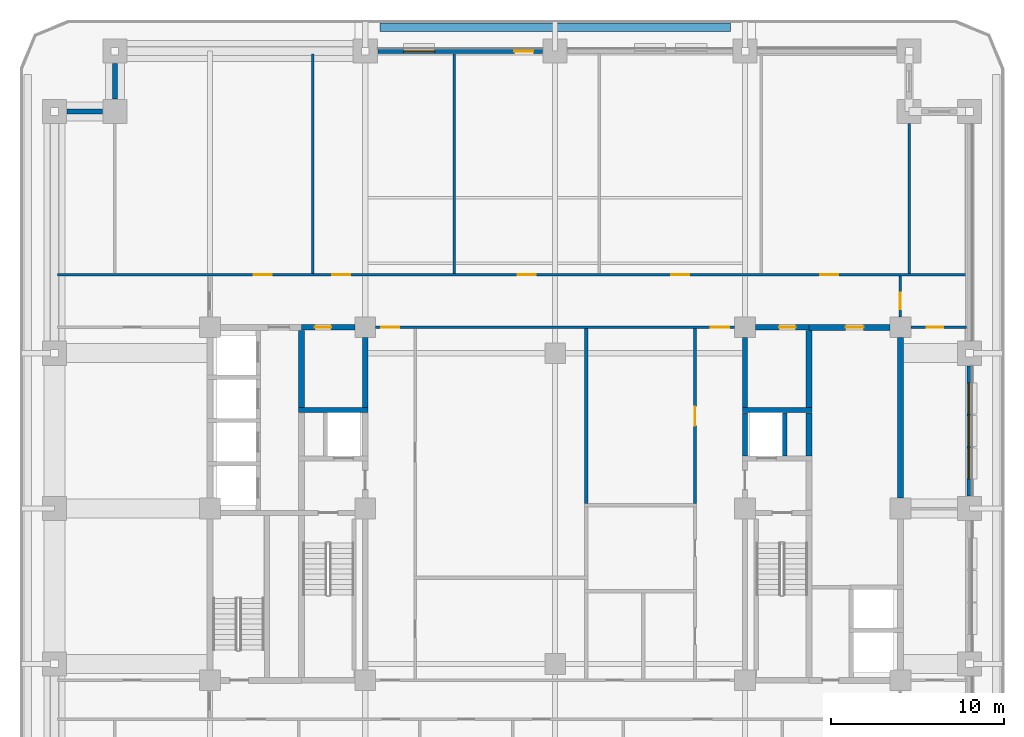
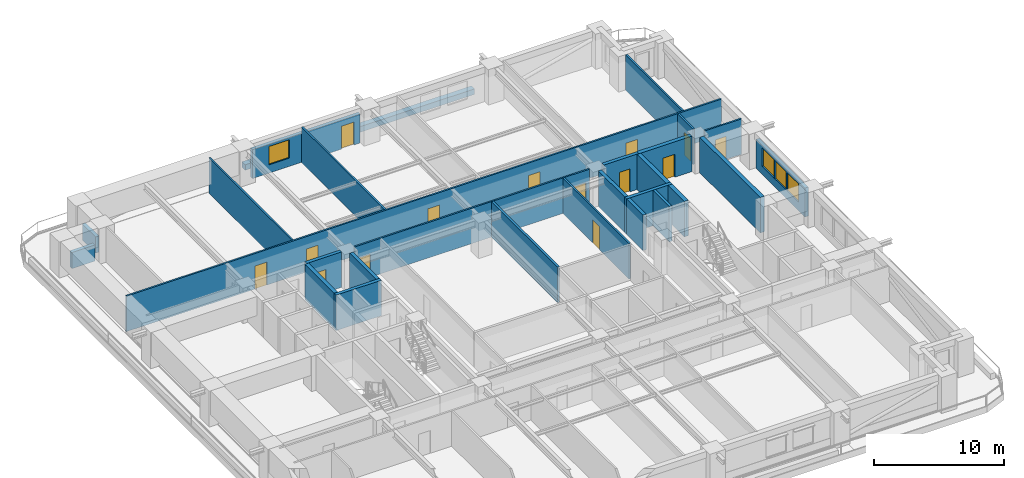
# One storey, part 5 of 14: 27 walls, 14 doors, 4 windows, 18 openings.
"""IFC4 building model written with IfcOpenShell, lengths in metres."""

import ifcopenshell
import ifcopenshell.guid

model = None  # the IFC model being written
_history = None  # IfcOwnerHistory: only IFC2X3 demands one
_inside = {}  # id of a spatial element -> (the spatial element, [elements in it])
_under = {}  # id of a project, library or spatial element -> (it, [spatial elements below it])
_declared = {}  # id of a project -> (the project, [libraries it declares])
_typed = {}  # id of a type object -> (the type object, [elements of that type])
_made_of = {}  # id of a material, layer set ... -> (it, [elements and type objects made of it])


def new_model(schema):
    """Start an empty IFC model of exactly this schema.

    Asked for "IFC4X3", IfcOpenShell would pick the latest addendum, in which some entities
    have other attributes; the version numbers below select the first issue.
    IFC2X3 requires an IfcOwnerHistory on every rooted entity: one is made here for all.
    """
    global model, _history
    if schema == "IFC4X3":
        model = ifcopenshell.file(schema_version=(4, 3, 0, 0))
    else:
        model = ifcopenshell.file(schema=schema)
    _inside.clear()
    _under.clear()
    _declared.clear()
    _typed.clear()
    _made_of.clear()
    _history = None
    if model.schema == "IFC2X3":
        org = make("IfcOrganization", Name="unknown")
        user = make(
            "IfcPersonAndOrganization",
            ThePerson=make("IfcPerson", FamilyName="unknown"),
            TheOrganization=org,
        )
        app = make(
            "IfcApplication",
            ApplicationDeveloper=org,
            Version="unknown",
            ApplicationFullName="unknown",
            ApplicationIdentifier="unknown",
        )
        _history = make(
            "IfcOwnerHistory",
            OwningUser=user,
            OwningApplication=app,
            ChangeAction="ADDED",
            CreationDate=0,
        )
    return model


def make(cls, **values):
    """One entity of the class cls with the attributes given. An attribute that is None is left unset."""
    return model.create_entity(
        cls, **{name: value for name, value in values.items() if value is not None}
    )


def rooted(cls, **values):
    """An entity with a GlobalId (a new one), such as an element, a storey or a relation."""
    return make(cls, GlobalId=ifcopenshell.guid.new(), OwnerHistory=_history, **values)


def si_unit(unit_type, name, prefix=None):
    """IfcSIUnit, for example si_unit("LENGTHUNIT", "METRE", prefix="MILLI")."""
    return make("IfcSIUnit", UnitType=unit_type, Prefix=prefix, Name=name)


def assignment(units):
    """IfcUnitAssignment: the units of a project."""
    return None if units is None else make("IfcUnitAssignment", Units=units)


def point(xyz):
    """IfcCartesianPoint."""
    return None if xyz is None else make("IfcCartesianPoint", Coordinates=xyz)


def direction(xyz):
    """IfcDirection."""
    return None if xyz is None else make("IfcDirection", DirectionRatios=xyz)


def frame(location, z_axis=None, x_axis=None):
    """IfcAxis2Placement3D, a coordinate frame: its origin and axes. An axis left out is left unset."""
    return make(
        "IfcAxis2Placement3D",
        Location=point(location),
        Axis=direction(z_axis),
        RefDirection=direction(x_axis),
    )


def frame_2d(location, x_axis=None):
    """IfcAxis2Placement2D, a coordinate frame in the plane: its origin and x axis."""
    return make(
        "IfcAxis2Placement2D", Location=point(location), RefDirection=direction(x_axis)
    )


def origin():
    """The frame at (0, 0, 0) with its axes left unset."""
    return frame((0.0, 0.0, 0.0))


def place(relative_to, where):
    """IfcLocalPlacement: puts the frame where relative to a parent placement (None: the world)."""
    return make(
        "IfcLocalPlacement", PlacementRelTo=relative_to, RelativePlacement=where
    )


def context(
    kind, dimensions, precision=None, world=None, true_north=None, identifier=None
):
    """IfcGeometricRepresentationContext, for example the 3D "Model" context."""
    return make(
        "IfcGeometricRepresentationContext",
        ContextIdentifier=identifier,
        ContextType=kind,
        CoordinateSpaceDimension=dimensions,
        Precision=precision,
        WorldCoordinateSystem=world,
        TrueNorth=true_north,
    )


def subcontext(parent, identifier, kind, view, scale=None):
    """IfcGeometricRepresentationSubContext, for example "Body" below "Model"."""
    return make(
        "IfcGeometricRepresentationSubContext",
        ContextIdentifier=identifier,
        ContextType=kind,
        ParentContext=parent,
        TargetScale=scale,
        TargetView=view,
    )


def project(units=None, contexts=None):
    """IfcProject with its units and contexts."""
    return rooted(
        "IfcProject",
        Name="project",
        RepresentationContexts=contexts,
        UnitsInContext=assignment(units),
    )


def spatial(cls, under=None, at=None, **own):
    """A site, building, storey or space (cls), placed at a placement, below another one or the project."""
    s = rooted(cls, ObjectPlacement=at, **own)
    if under is not None:
        _under.setdefault(under.id(), (under, []))[1].append(s)
    return s


def profile(cls, at=None, kind="AREA", **sizes):
    """A parametric profile (cls). Its sizes go by their IFC names, for example OverallWidth=200.0."""
    return make(cls, ProfileType=kind, Position=at, **sizes)


def rectangle(**sizes):
    """IfcRectangleProfileDef."""
    return profile("IfcRectangleProfileDef", **sizes)


def extrude(swept, where, along, depth):
    """IfcExtrudedAreaSolid: the profile swept, set in the frame where, extruded along a direction by depth."""
    return make(
        "IfcExtrudedAreaSolid",
        SweptArea=swept,
        Position=where,
        ExtrudedDirection=direction(along),
        Depth=depth,
    )


def shape(context_of_items, identifier, shape_type, items):
    """IfcShapeRepresentation: the items that make up one representation, for example the "Body"."""
    return make(
        "IfcShapeRepresentation",
        ContextOfItems=context_of_items,
        RepresentationIdentifier=identifier,
        RepresentationType=shape_type,
        Items=items,
    )


def material(Name=None, Category=None):
    """IfcMaterial."""
    return make("IfcMaterial", Name=Name, Category=Category)


def layer(
    of_material, thickness, ventilated=None, Name=None, Category=None, Priority=None
):
    """IfcMaterialLayer: one layer of a wall or slab, of a material (None: an air gap)."""
    return make(
        "IfcMaterialLayer",
        Material=of_material,
        LayerThickness=thickness,
        IsVentilated=ventilated,
        Name=Name,
        Category=Category,
        Priority=Priority,
    )


def layer_set(layers, Name=None):
    """IfcMaterialLayerSet."""
    return make("IfcMaterialLayerSet", MaterialLayers=layers, LayerSetName=Name)


def made_of(thing, what):
    """Note that an element or type object is made of a material, layer set ...; save() writes the relation."""
    if what is not None:
        _made_of.setdefault(what.id(), (what, []))[1].append(thing)
    return thing


def type_object(cls, material=None, **own):
    """A type object (cls), such as IfcWallType, which elements share."""
    return made_of(rooted(cls, **own), material)


def element(
    cls,
    number,
    at=None,
    inside=None,
    cuts=None,
    type_object=None,
    material=None,
    context=None,
    identifier="Body",
    shape_type=None,
    held_by="IfcProductDefinitionShape",
    body=None,
    shapes=None,
    **own,
):
    """One element of the class cls, such as IfcWall. Its Tag is "e" and its number.

    at: its placement. inside: the storey or other place that contains it. cuts: it is an
    opening in that element (IfcRelVoidsElement). A single representation is given by context,
    identifier, shape_type and body (its items); several are given by shapes. held_by: the class
    of the entity that holds the representations. save() writes the other relations.
    """
    e = rooted(cls, Tag="e%d" % number, ObjectPlacement=at, **own)
    if body is not None:
        shapes = [shape(context, identifier, shape_type, body)]
    if shapes is not None:
        e.Representation = make(held_by, Representations=shapes)
    if inside is not None:
        _inside.setdefault(inside.id(), (inside, []))[1].append(e)
    if cuts is not None:
        rooted(
            "IfcRelVoidsElement", RelatingBuildingElement=cuts, RelatedOpeningElement=e
        )
    if type_object is not None:
        _typed.setdefault(type_object.id(), (type_object, []))[1].append(e)
    return made_of(e, material)


def fill(opening, filler):
    """IfcRelFillsElement: the door or window that sits in an opening."""
    return rooted(
        "IfcRelFillsElement",
        RelatingOpeningElement=opening,
        RelatedBuildingElement=filler,
    )


def aggregate(whole, parts):
    """IfcRelAggregates: a whole, such as a stair, and the parts it consists of."""
    return rooted("IfcRelAggregates", RelatingObject=whole, RelatedObjects=parts)


def save(model, path):
    """Write the relations noted so far, then the file.

    IfcRelAggregates (storeys below a building ...), IfcRelContainedInSpatialStructure (elements
    in a storey), IfcRelDefinesByType, IfcRelAssociatesMaterial and IfcRelDeclares: one each for
    every whole, place, type object, material and project.
    """
    for whole, parts in _under.values():
        aggregate(whole, parts)
    for where, things in _inside.values():
        rooted(
            "IfcRelContainedInSpatialStructure",
            RelatedElements=things,
            RelatingStructure=where,
        )
    for kind, things in _typed.values():
        rooted("IfcRelDefinesByType", RelatedObjects=things, RelatingType=kind)
    for what, things in _made_of.values():
        rooted("IfcRelAssociatesMaterial", RelatedObjects=things, RelatingMaterial=what)
    for by, libraries in _declared.values():
        rooted("IfcRelDeclares", RelatingContext=by, RelatedDefinitions=libraries)
    model.write(path)


model = new_model("IFC4")

# Units and contexts
model_context = context("Model", 3, precision=1e-05, world=origin(), true_north=direction((0.0, 1.0)))
body_context = subcontext(model_context, "Body", "Model", "MODEL_VIEW")
ifc_project = project(units=[si_unit("LENGTHUNIT", "METRE"), si_unit("AREAUNIT", "SQUARE_METRE"), si_unit("VOLUMEUNIT", "CUBIC_METRE"), si_unit("PLANEANGLEUNIT", "RADIAN"), si_unit("MASSUNIT", "GRAM", prefix="KILO")], contexts=[model_context])

# Site, building, storey
site_placement = place(None, origin())
site = spatial("IfcSite", under=ifc_project, at=site_placement, CompositionType="ELEMENT")
building_placement = place(site_placement, origin())
building = spatial("IfcBuilding", under=site, at=building_placement, Name="Zulmaris Gate Convention Tower", CompositionType="ELEMENT")
storey_placement = place(building_placement, frame((0.0, 0.0, 60.760009765625)))
storey = spatial("IfcBuildingStorey", under=building, at=storey_placement, Name="L14", CompositionType="ELEMENT", Elevation=60.760009765625)

# Walls
ifc_material_1 = material(Name="Concrete C50/60", Category="concrete")
ifc_layer_1 = layer(ifc_material_1, 0.25, Name="Concrete C50/60")
ifc_layer_set_1 = layer_set([ifc_layer_1], Name="Concrete C50/60")
wall_type_1 = type_object("IfcWallType", Name="CORE-250", PredefinedType="SOLIDWALL", material=ifc_layer_set_1)
wall_1_placement = place(storey_placement, frame((13.300048828125, 3.052001953125, 0.0), z_axis=(0.0, 0.0, 1.0), x_axis=(0.0, 1.0, 0.0)))
element("IfcWall", 1, at=wall_1_placement, inside=storey, type_object=wall_type_1, Name="WL-L14-058", PredefinedType="SOLIDWALL", context=body_context, shape_type="SweptSolid", body=[
    extrude(rectangle(XDim=2.49609375, YDim=0.25, at=frame_2d((1.248046875, 0.0))), origin(), (0.0, 0.0, 1.0), 3.31982421875),
])
ifc_layer_2 = layer(ifc_material_1, 0.300048828125, Name="Concrete C50/60")
ifc_layer_set_2 = layer_set([ifc_layer_2], Name="Concrete C50/60")
wall_type_2 = type_object("IfcWallType", Name="CORE-300", PredefinedType="SHEAR", material=ifc_layer_set_2)
for number, where, z_axis, x_axis, name in (
    (2, (-14.875, 5.699951171875, 0.0), (0.0, 0.0, 1.0), (1.0, 0.0, 0.0), "WL-L14-013"),
    (3, (10.85009765625, 5.699951171875, 0.0), (0.0, 0.0, 1.0), (1.0, 0.0, 0.0), "WL-L14-014"),
):
    element("IfcWall", number, at=place(storey_placement, frame(where, z_axis=z_axis, x_axis=x_axis)), inside=storey, type_object=wall_type_2, Name=name, PredefinedType="SHEAR", context=body_context, shape_type="SweptSolid", body=[
        extrude(rectangle(XDim=4.02490234375, YDim=0.300048828125, at=frame_2d((2.012451171875, 0.0))), origin(), (0.0, 0.0, 1.0), 3.31982421875),
    ])

# Wall, opening, door
wall_2_placement = place(storey_placement, frame((-14.699951171875, 10.5, 0.0), z_axis=(0.0, 0.0, 1.0), x_axis=(1.0, 0.0, 0.0)))
wall_2 = element("IfcWall", 4, at=wall_2_placement, inside=storey, type_object=wall_type_2, Name="WL-L14-017", PredefinedType="SHEAR", context=body_context, shape_type="SweptSolid", body=[
    extrude(rectangle(XDim=3.095947265625, YDim=0.300048828125, at=frame_2d((1.5478515625, 0.0))), origin(), (0.0, 0.0, 1.0), 3.31982421875),
])
opening_1_placement = place(wall_2_placement, frame((0.77490234375, 0.0, 0.0)))
opening_1 = element("IfcOpeningElement", 5, at=opening_1_placement, cuts=wall_2, Name="Opening D-11", PredefinedType="OPENING", context=body_context, shape_type="SweptSolid", body=[
    extrude(rectangle(XDim=0.949951171875, YDim=2.14990234375, at=frame_2d((0.47509765625, 1.074951171875))), frame((0.0, 0.16015625, 0.0), z_axis=(0.0, -1.0, 0.0), x_axis=(1.0, 0.0, 0.0)), (0.0, 0.0, 1.0), 0.320068359375),
])
ifc_material_2 = material(Name="Fire-Rated Timber", Category="wood")
door_type_1 = type_object("IfcDoorType", Name="DR-950-FD", OperationType="NOTDEFINED", PredefinedType="DOOR", material=ifc_material_2)
door_1_placement = place(opening_1_placement, origin())
door_1 = element("IfcDoor", 6, at=door_1_placement, inside=storey, type_object=door_type_1, Name="L14 Core Pantry Door 07", OperationType="SINGLE_SWING_RIGHT", OverallHeight=2.14990234375, OverallWidth=0.949951171875, PredefinedType="DOOR", context=body_context, shape_type="SweptSolid", body=[
    extrude(rectangle(XDim=0.949951171875, YDim=2.14990234375, at=frame_2d((0.47509765625, 1.074951171875))), frame((0.0, 0.02490234375, 0.0), z_axis=(0.0, -1.0, 0.0), x_axis=(1.0, 0.0, 0.0)), (0.0, 0.0, 1.0), 0.050048828125),
])
fill(opening_1, door_1)

wall_3_placement = place(storey_placement, frame((11.60400390625, 10.5, 0.0), z_axis=(0.0, 0.0, 1.0), x_axis=(1.0, 0.0, 0.0)))
wall_3 = element("IfcWall", 7, at=wall_3_placement, inside=storey, type_object=wall_type_2, Name="WL-L14-018", PredefinedType="SHEAR", context=body_context, shape_type="SweptSolid", body=[
    extrude(rectangle(XDim=3.095947265625, YDim=0.300048828125, at=frame_2d((1.5478515625, 0.0))), origin(), (0.0, 0.0, 1.0), 3.31982421875),
])
opening_2_placement = place(wall_3_placement, frame((1.37109375, 0.0, 0.0)))
opening_2 = element("IfcOpeningElement", 8, at=opening_2_placement, cuts=wall_3, Name="Opening D-11", PredefinedType="OPENING", context=body_context, shape_type="SweptSolid", body=[
    extrude(rectangle(XDim=0.949951171875, YDim=2.14990234375, at=frame_2d((0.47509765625, 1.074951171875))), frame((0.0, 0.16015625, 0.0), z_axis=(0.0, -1.0, 0.0), x_axis=(1.0, 0.0, 0.0)), (0.0, 0.0, 1.0), 0.320068359375),
])
door_2_placement = place(opening_2_placement, origin())
door_2 = element("IfcDoor", 9, at=door_2_placement, inside=storey, type_object=door_type_1, Name="L14 Core Cleaners Store Door 08", OperationType="SINGLE_SWING_LEFT", OverallHeight=2.14990234375, OverallWidth=0.949951171875, PredefinedType="DOOR", context=body_context, shape_type="SweptSolid", body=[
    extrude(rectangle(XDim=0.949951171875, YDim=2.14990234375, at=frame_2d((0.47509765625, 1.074951171875))), frame((0.0, 0.02490234375, 0.0), z_axis=(0.0, -1.0, 0.0), x_axis=(1.0, 0.0, 0.0)), (0.0, 0.0, 1.0), 0.050048828125),
])
fill(opening_2, door_2)

# Walls
wall_4_placement = place(storey_placement, frame((-11.0, 5.85205078125, 0.0), z_axis=(0.0, 0.0, 1.0), x_axis=(0.0, 1.0, 0.0)))
element("IfcWall", 10, at=wall_4_placement, inside=storey, type_object=wall_type_2, Name="WL-L14-052", PredefinedType="SHEAR", context=body_context, shape_type="SweptSolid", body=[
    extrude(rectangle(XDim=4.0439453125, YDim=0.300048828125, at=frame_2d((2.02197265625, 0.0))), origin(), (0.0, 0.0, 1.0), 3.31982421875),
])
wall_5_placement = place(storey_placement, frame((11.0, 3.052001953125, 0.0), z_axis=(0.0, 0.0, 1.0), x_axis=(0.0, 1.0, 0.0)))
element("IfcWall", 11, at=wall_5_placement, inside=storey, type_object=wall_type_2, Name="WL-L14-055", PredefinedType="SHEAR", context=body_context, shape_type="SweptSolid", body=[
    extrude(rectangle(XDim=2.49609375, YDim=0.300048828125, at=frame_2d((1.248046875, 0.0))), origin(), (0.0, 0.0, 1.0), 3.31982421875),
])
wall_6_placement = place(storey_placement, frame((11.0, 5.85205078125, 0.0), z_axis=(0.0, 0.0, 1.0), x_axis=(0.0, 1.0, 0.0)))
element("IfcWall", 12, at=wall_6_placement, inside=storey, type_object=wall_type_2, Name="WL-L14-056", PredefinedType="SHEAR", context=body_context, shape_type="SweptSolid", body=[
    extrude(rectangle(XDim=4.0439453125, YDim=0.300048828125, at=frame_2d((2.02197265625, 0.0))), origin(), (0.0, 0.0, 1.0), 3.31982421875),
])

# Wall, opening, door
ifc_material_3 = material(Name="Concrete C55/67", Category="concrete")
ifc_layer_3 = layer(ifc_material_3, 0.35009765625, Name="Concrete C55/67")
ifc_layer_set_3 = layer_set([ifc_layer_3], Name="Concrete C55/67")
wall_type_3 = type_object("IfcWallType", Name="CORE-350", PredefinedType="SHEAR", material=ifc_layer_set_3)
wall_7_placement = place(storey_placement, frame((14.699951171875, 10.5, 0.0), z_axis=(0.0, 0.0, 1.0), x_axis=(1.0, 0.0, 0.0)))
wall_7 = element("IfcWall", 13, at=wall_7_placement, inside=storey, type_object=wall_type_3, Name="WL-L14-019", PredefinedType="SHEAR", context=body_context, shape_type="SweptSolid", body=[
    extrude(rectangle(XDim=4.696044921875, YDim=0.35009765625, at=frame_2d((2.34814453125, 0.0))), origin(), (0.0, 0.0, 1.0), 3.31982421875),
])
opening_3_placement = place(wall_7_placement, frame((2.125, 0.0, 0.0)))
opening_3 = element("IfcOpeningElement", 14, at=opening_3_placement, cuts=wall_7, Name="Opening D-09", PredefinedType="OPENING", context=body_context, shape_type="SweptSolid", body=[
    extrude(rectangle(XDim=1.050048828125, YDim=2.14990234375, at=frame_2d((0.52490234375, 1.074951171875))), frame((0.0, 0.18505859375, 0.0), z_axis=(0.0, -1.0, 0.0), x_axis=(1.0, 0.0, 0.0)), (0.0, 0.0, 1.0), 0.3701171875),
])
ifc_material_4 = material(Name="Fire-Rated Steel", Category="steel")
door_type_2 = type_object("IfcDoorType", Name="DR-1050-FD", OperationType="NOTDEFINED", PredefinedType="DOOR", material=ifc_material_4)
door_3_placement = place(opening_3_placement, origin())
door_3 = element("IfcDoor", 15, at=door_3_placement, inside=storey, type_object=door_type_2, Name="L14 East Comms Room Door 16", OperationType="SINGLE_SWING_LEFT", OverallHeight=2.14990234375, OverallWidth=1.050048828125, PredefinedType="DOOR", context=body_context, shape_type="SweptSolid", body=[
    extrude(rectangle(XDim=1.050048828125, YDim=2.14990234375, at=frame_2d((0.52490234375, 1.074951171875))), frame((0.0, 0.02490234375, 0.0), z_axis=(0.0, -1.0, 0.0), x_axis=(1.0, 0.0, 0.0)), (0.0, 0.0, 1.0), 0.050048828125),
])
fill(opening_3, door_3)

# Walls
wall_8_placement = place(storey_placement, frame((-14.699951171875, 5.85205078125, 0.0), z_axis=(0.0, 0.0, 1.0), x_axis=(0.0, 1.0, 0.0)))
element("IfcWall", 16, at=wall_8_placement, inside=storey, type_object=wall_type_3, Name="WL-L14-046", PredefinedType="SHEAR", context=body_context, shape_type="SweptSolid", body=[
    extrude(rectangle(XDim=4.470947265625, YDim=0.35009765625, at=frame_2d((2.2353515625, 0.0))), origin(), (0.0, 0.0, 1.0), 3.31982421875),
])
wall_9_placement = place(storey_placement, frame((14.699951171875, 3.052001953125, 0.0), z_axis=(0.0, 0.0, 1.0), x_axis=(0.0, 1.0, 0.0)))
element("IfcWall", 17, at=wall_9_placement, inside=storey, type_object=wall_type_3, Name="WL-L14-061", PredefinedType="SHEAR", context=body_context, shape_type="SweptSolid", body=[
    extrude(rectangle(XDim=2.49609375, YDim=0.35009765625, at=frame_2d((1.248046875, 0.0))), origin(), (0.0, 0.0, 1.0), 3.31982421875),
])
wall_10_placement = place(storey_placement, frame((14.699951171875, 5.85205078125, 0.0), z_axis=(0.0, 0.0, 1.0), x_axis=(0.0, 1.0, 0.0)))
element("IfcWall", 18, at=wall_10_placement, inside=storey, type_object=wall_type_3, Name="WL-L14-062", PredefinedType="SHEAR", context=body_context, shape_type="SweptSolid", body=[
    extrude(rectangle(XDim=4.470947265625, YDim=0.35009765625, at=frame_2d((2.2353515625, 0.0))), origin(), (0.0, 0.0, 1.0), 3.31982421875),
])
wall_11_placement = place(storey_placement, frame((20.0, 0.60400390625, 0.0), z_axis=(0.0, 0.0, 1.0), x_axis=(0.0, 1.0, 0.0)))
element("IfcWall", 19, at=wall_11_placement, inside=storey, type_object=wall_type_3, Name="WL-L14-067S1", PredefinedType="SHEAR", context=body_context, shape_type="SweptSolid", body=[
    extrude(rectangle(XDim=9.2919921875, YDim=0.35009765625, at=frame_2d((4.64599609375, 0.0))), origin(), (0.0, 0.0, 1.0), 3.31982421875),
])

# Wall, openings, doors
ifc_material_5 = material(Name="Gypsum Metal Stud Partition")
ifc_layer_4 = layer(ifc_material_5, 0.14990234375, Name="Gypsum Metal Stud Partition")
ifc_layer_set_4 = layer_set([ifc_layer_4], Name="Gypsum Metal Stud Partition")
wall_type_4 = type_object("IfcWallType", Name="PART-150", PredefinedType="PARTITIONING", material=ifc_layer_set_4)
wall_12_placement = place(storey_placement, frame((-10.39404296875, 10.5, 0.0), z_axis=(0.0, 0.0, 1.0), x_axis=(1.0, 0.0, 0.0)))
wall_12 = element("IfcWall", 20, at=wall_12_placement, inside=storey, type_object=wall_type_4, Name="WL-L14-030", PredefinedType="PARTITIONING", context=body_context, shape_type="SweptSolid", body=[
    extrude(rectangle(XDim=20.7880859375, YDim=0.14990234375, at=frame_2d((10.39404296875, 0.0))), origin(), (0.0, 0.0, 1.0), 3.31982421875),
])
opening_4_placement = place(wall_12_placement, frame((0.319091796875, 0.0, 0.0)))
opening_4 = element("IfcOpeningElement", 21, at=opening_4_placement, cuts=wall_12, Name="Opening D-09", PredefinedType="OPENING", context=body_context, shape_type="SweptSolid", body=[
    extrude(rectangle(XDim=1.050048828125, YDim=2.14990234375, at=frame_2d((0.52490234375, 1.074951171875))), frame((0.0, 0.0849609375, 0.0), z_axis=(0.0, -1.0, 0.0), x_axis=(1.0, 0.0, 0.0)), (0.0, 0.0, 1.0), 0.169921875),
])
opening_5_placement = place(wall_12_placement, frame((19.4189453125, 0.0, 0.0)))
opening_5 = element("IfcOpeningElement", 22, at=opening_5_placement, cuts=wall_12, Name="Opening D-09", PredefinedType="OPENING", context=body_context, shape_type="SweptSolid", body=[
    extrude(rectangle(XDim=1.050048828125, YDim=2.14990234375, at=frame_2d((0.52490234375, 1.074951171875))), frame((0.0, 0.0849609375, 0.0), z_axis=(0.0, -1.0, 0.0), x_axis=(1.0, 0.0, 0.0)), (0.0, 0.0, 1.0), 0.169921875),
])
door_4_placement = place(opening_4_placement, origin())
door_4 = element("IfcDoor", 23, at=door_4_placement, inside=storey, type_object=door_type_2, Name="L14 NW Spine Link Door 17", OperationType="SINGLE_SWING_RIGHT", OverallHeight=2.14990234375, OverallWidth=1.050048828125, PredefinedType="DOOR", context=body_context, shape_type="SweptSolid", body=[
    extrude(rectangle(XDim=1.050048828125, YDim=2.14990234375, at=frame_2d((0.52490234375, 1.074951171875))), frame((0.0, 0.02490234375, 0.0), z_axis=(0.0, -1.0, 0.0), x_axis=(1.0, 0.0, 0.0)), (0.0, 0.0, 1.0), 0.050048828125),
])
fill(opening_4, door_4)
door_5_placement = place(opening_5_placement, origin())
door_5 = element("IfcDoor", 24, at=door_5_placement, inside=storey, type_object=door_type_2, Name="L14 NE Spine Link Door 19", OperationType="SINGLE_SWING_RIGHT", OverallHeight=2.14990234375, OverallWidth=1.050048828125, PredefinedType="DOOR", context=body_context, shape_type="SweptSolid", body=[
    extrude(rectangle(XDim=1.050048828125, YDim=2.14990234375, at=frame_2d((0.52490234375, 1.074951171875))), frame((0.0, 0.02490234375, 0.0), z_axis=(0.0, -1.0, 0.0), x_axis=(1.0, 0.0, 0.0)), (0.0, 0.0, 1.0), 0.050048828125),
])
fill(opening_5, door_5)

# Wall, opening, door
wall_13_placement = place(storey_placement, frame((20.60595703125, 10.5, 0.0), z_axis=(0.0, 0.0, 1.0), x_axis=(1.0, 0.0, 0.0)))
wall_13 = element("IfcWall", 25, at=wall_13_placement, inside=storey, type_object=wall_type_4, Name="WL-L14-031", PredefinedType="PARTITIONING", context=body_context, shape_type="SweptSolid", body=[
    extrude(rectangle(XDim=3.22900390625, YDim=0.14990234375, at=frame_2d((1.614501953125, 0.0))), origin(), (0.0, 0.0, 1.0), 3.31982421875),
])
opening_6_placement = place(wall_13_placement, frame((0.9189453125, 0.0, 0.0)))
opening_6 = element("IfcOpeningElement", 26, at=opening_6_placement, cuts=wall_13, Name="Opening D-11", PredefinedType="OPENING", context=body_context, shape_type="SweptSolid", body=[
    extrude(rectangle(XDim=0.949951171875, YDim=2.14990234375, at=frame_2d((0.47509765625, 1.074951171875))), frame((0.0, 0.0849609375, 0.0), z_axis=(0.0, -1.0, 0.0), x_axis=(1.0, 0.0, 0.0)), (0.0, 0.0, 1.0), 0.169921875),
])
door_6_placement = place(opening_6_placement, origin())
door_6 = element("IfcDoor", 27, at=door_6_placement, inside=storey, type_object=door_type_1, Name="L14 NE Partner Door 44", OperationType="SINGLE_SWING_LEFT", OverallHeight=2.14990234375, OverallWidth=0.949951171875, PredefinedType="DOOR", context=body_context, shape_type="SweptSolid", body=[
    extrude(rectangle(XDim=0.949951171875, YDim=2.14990234375, at=frame_2d((0.47509765625, 1.074951171875))), frame((0.0, 0.02490234375, 0.0), z_axis=(0.0, -1.0, 0.0), x_axis=(1.0, 0.0, 0.0)), (0.0, 0.0, 1.0), 0.050048828125),
])
fill(opening_6, door_6)

# Wall, openings, doors
wall_14_placement = place(storey_placement, frame((-28.8349609375, 13.550048828125, 0.0), z_axis=(0.0, 0.0, 1.0), x_axis=(1.0, 0.0, 0.0)))
wall_14 = element("IfcWall", 28, at=wall_14_placement, inside=storey, type_object=wall_type_4, Name="WL-L14-032", PredefinedType="PARTITIONING", context=body_context, shape_type="SweptSolid", body=[
    extrude(rectangle(XDim=52.669921875, YDim=0.14990234375, at=frame_2d((26.3349609375, 0.0))), origin(), (0.0, 0.0, 1.0), 3.31982421875),
])
opening_7_placement = place(wall_14_placement, frame((11.3798828125, 0.0, 0.0)))
opening_7 = element("IfcOpeningElement", 29, at=opening_7_placement, cuts=wall_14, Name="Opening D-09", PredefinedType="OPENING", context=body_context, shape_type="SweptSolid", body=[
    extrude(rectangle(XDim=1.050048828125, YDim=2.14990234375, at=frame_2d((0.52490234375, 1.074951171875))), frame((0.0, 0.0849609375, 0.0), z_axis=(0.0, -1.0, 0.0), x_axis=(1.0, 0.0, 0.0)), (0.0, 0.0, 1.0), 0.169921875),
])
opening_8_placement = place(wall_14_placement, frame((15.909912109375, 0.0, 0.0)))
opening_8 = element("IfcOpeningElement", 30, at=opening_8_placement, cuts=wall_14, Name="Opening D-09", PredefinedType="OPENING", context=body_context, shape_type="SweptSolid", body=[
    extrude(rectangle(XDim=1.050048828125, YDim=2.14990234375, at=frame_2d((0.52490234375, 1.074951171875))), frame((0.0, 0.0849609375, 0.0), z_axis=(0.0, -1.0, 0.0), x_axis=(1.0, 0.0, 0.0)), (0.0, 0.0, 1.0), 0.169921875),
])
opening_9_placement = place(wall_14_placement, frame((26.659912109375, 0.0, 0.0)))
opening_9 = element("IfcOpeningElement", 31, at=opening_9_placement, cuts=wall_14, Name="Opening D-09", PredefinedType="OPENING", context=body_context, shape_type="SweptSolid", body=[
    extrude(rectangle(XDim=1.050048828125, YDim=2.14990234375, at=frame_2d((0.52490234375, 1.074951171875))), frame((0.0, 0.0849609375, 0.0), z_axis=(0.0, -1.0, 0.0), x_axis=(1.0, 0.0, 0.0)), (0.0, 0.0, 1.0), 0.169921875),
])
opening_10_placement = place(wall_14_placement, frame((35.56005859375, 0.0, 0.0)))
opening_10 = element("IfcOpeningElement", 32, at=opening_10_placement, cuts=wall_14, Name="Opening D-09", PredefinedType="OPENING", context=body_context, shape_type="SweptSolid", body=[
    extrude(rectangle(XDim=1.050048828125, YDim=2.14990234375, at=frame_2d((0.52490234375, 1.074951171875))), frame((0.0, 0.0849609375, 0.0), z_axis=(0.0, -1.0, 0.0), x_axis=(1.0, 0.0, 0.0)), (0.0, 0.0, 1.0), 0.169921875),
])
opening_11_placement = place(wall_14_placement, frame((44.18994140625, 0.0, 0.0)))
opening_11 = element("IfcOpeningElement", 33, at=opening_11_placement, cuts=wall_14, Name="Opening D-09", PredefinedType="OPENING", context=body_context, shape_type="SweptSolid", body=[
    extrude(rectangle(XDim=1.050048828125, YDim=2.14990234375, at=frame_2d((0.52490234375, 1.074951171875))), frame((0.0, 0.0849609375, 0.0), z_axis=(0.0, -1.0, 0.0), x_axis=(1.0, 0.0, 0.0)), (0.0, 0.0, 1.0), 0.169921875),
])
door_7_placement = place(opening_7_placement, origin())
door_7 = element("IfcDoor", 34, at=door_7_placement, inside=storey, type_object=door_type_2, Name="L14 Executive Boardroom Door 21", OperationType="SINGLE_SWING_RIGHT", OverallHeight=2.14990234375, OverallWidth=1.050048828125, PredefinedType="DOOR", context=body_context, shape_type="SweptSolid", body=[
    extrude(rectangle(XDim=1.050048828125, YDim=2.14990234375, at=frame_2d((0.52490234375, 1.074951171875))), frame((0.0, 0.02490234375, 0.0), z_axis=(0.0, -1.0, 0.0), x_axis=(1.0, 0.0, 0.0)), (0.0, 0.0, 1.0), 0.050048828125),
])
fill(opening_7, door_7)
door_8_placement = place(opening_8_placement, origin())
door_8 = element("IfcDoor", 35, at=door_8_placement, inside=storey, type_object=door_type_2, Name="L14 Corporate Strategy Office Door 22", OperationType="SINGLE_SWING_LEFT", OverallHeight=2.14990234375, OverallWidth=1.050048828125, PredefinedType="DOOR", context=body_context, shape_type="SweptSolid", body=[
    extrude(rectangle(XDim=1.050048828125, YDim=2.14990234375, at=frame_2d((0.52490234375, 1.074951171875))), frame((0.0, 0.02490234375, 0.0), z_axis=(0.0, -1.0, 0.0), x_axis=(1.0, 0.0, 0.0)), (0.0, 0.0, 1.0), 0.050048828125),
])
fill(opening_8, door_8)
door_9_placement = place(opening_9_placement, origin())
door_9 = element("IfcDoor", 36, at=door_9_placement, inside=storey, type_object=door_type_2, Name="L14 Project Advisory Studio Door 23", OperationType="SINGLE_SWING_RIGHT", OverallHeight=2.14990234375, OverallWidth=1.050048828125, PredefinedType="DOOR", context=body_context, shape_type="SweptSolid", body=[
    extrude(rectangle(XDim=1.050048828125, YDim=2.14990234375, at=frame_2d((0.52490234375, 1.074951171875))), frame((0.0, 0.02490234375, 0.0), z_axis=(0.0, -1.0, 0.0), x_axis=(1.0, 0.0, 0.0)), (0.0, 0.0, 1.0), 0.050048828125),
])
fill(opening_9, door_9)
door_10_placement = place(opening_10_placement, origin())
door_10 = element("IfcDoor", 37, at=door_10_placement, inside=storey, type_object=door_type_2, Name="L14 Policy Research Study Door 24", OperationType="SINGLE_SWING_LEFT", OverallHeight=2.14990234375, OverallWidth=1.050048828125, PredefinedType="DOOR", context=body_context, shape_type="SweptSolid", body=[
    extrude(rectangle(XDim=1.050048828125, YDim=2.14990234375, at=frame_2d((0.52490234375, 1.074951171875))), frame((0.0, 0.02490234375, 0.0), z_axis=(0.0, -1.0, 0.0), x_axis=(1.0, 0.0, 0.0)), (0.0, 0.0, 1.0), 0.050048828125),
])
fill(opening_10, door_10)
door_11_placement = place(opening_11_placement, origin())
door_11 = element("IfcDoor", 38, at=door_11_placement, inside=storey, type_object=door_type_2, Name="L14 Executive Boardroom Door 25", OperationType="SINGLE_SWING_RIGHT", OverallHeight=2.14990234375, OverallWidth=1.050048828125, PredefinedType="DOOR", context=body_context, shape_type="SweptSolid", body=[
    extrude(rectangle(XDim=1.050048828125, YDim=2.14990234375, at=frame_2d((0.52490234375, 1.074951171875))), frame((0.0, 0.02490234375, 0.0), z_axis=(0.0, -1.0, 0.0), x_axis=(1.0, 0.0, 0.0)), (0.0, 0.0, 1.0), 0.050048828125),
])
fill(opening_11, door_11)

# Walls
for number, where, z_axis, x_axis, name in (
    (39, (-14.050048828125, 13.6279296875, 0.0), (0.0, 0.0, 1.0), (0.0, 1.0, 0.0), "WL-L14-073"),
    (40, (-5.85009765625, 13.6279296875, 0.0), (0.0, 0.0, 1.0), (0.0, 1.0, 0.0), "WL-L14-077"),
):
    element("IfcWall", number, at=place(storey_placement, frame(where, z_axis=z_axis, x_axis=x_axis)), inside=storey, type_object=wall_type_4, Name=name, PredefinedType="PARTITIONING", context=body_context, shape_type="SweptSolid", body=[
        extrude(rectangle(XDim=12.70703125, YDim=0.14990234375, at=frame_2d((6.353515625, 0.0))), origin(), (0.0, 0.0, 1.0), 3.31982421875),
    ])

# Wall, opening, door
wall_15_placement = place(storey_placement, frame((8.10009765625, 0.302978515625, 0.0), z_axis=(0.0, 0.0, 1.0), x_axis=(0.0, 1.0, 0.0)))
wall_15 = element("IfcWall", 41, at=wall_15_placement, inside=storey, type_object=wall_type_4, Name="WL-L14-088", PredefinedType="PARTITIONING", context=body_context, shape_type="SweptSolid", body=[
    extrude(rectangle(XDim=10.119140625, YDim=0.14990234375, at=frame_2d((5.0595703125, 0.0))), origin(), (0.0, 0.0, 1.0), 3.31982421875),
])
opening_12_placement = place(wall_15_placement, frame((4.4970703125, 0.0, 0.0)))
opening_12 = element("IfcOpeningElement", 42, at=opening_12_placement, cuts=wall_15, Name="Opening D-08", PredefinedType="OPENING", context=body_context, shape_type="SweptSolid", body=[
    extrude(rectangle(XDim=1.10009765625, YDim=2.14990234375, at=frame_2d((0.550048828125, 1.074951171875))), frame((0.0, 0.0849609375, 0.0), z_axis=(0.0, -1.0, 0.0), x_axis=(1.0, 0.0, 0.0)), (0.0, 0.0, 1.0), 0.169921875),
])
door_type_3 = type_object("IfcDoorType", Name="DR-1100-FD", OperationType="NOTDEFINED", PredefinedType="DOOR", material=ifc_material_4)
door_12_placement = place(opening_12_placement, origin())
door_12 = element("IfcDoor", 43, at=door_12_placement, inside=storey, type_object=door_type_3, Name="L14 Seminar Forum Door 34", OperationType="SINGLE_SWING_LEFT", OverallHeight=2.14990234375, OverallWidth=1.10009765625, PredefinedType="DOOR", context=body_context, shape_type="SweptSolid", body=[
    extrude(rectangle(XDim=1.10009765625, YDim=2.14990234375, at=frame_2d((0.550048828125, 1.074951171875))), frame((0.0, 0.02490234375, 0.0), z_axis=(0.0, -1.0, 0.0), x_axis=(1.0, 0.0, 0.0)), (0.0, 0.0, 1.0), 0.050048828125),
])
fill(opening_12, door_12)

wall_16_placement = place(storey_placement, frame((20.0, 11.10595703125, 0.0), z_axis=(0.0, 0.0, 1.0), x_axis=(0.0, 1.0, 0.0)))
wall_16 = element("IfcWall", 44, at=wall_16_placement, inside=storey, type_object=wall_type_4, Name="WL-L14-092", PredefinedType="PARTITIONING", context=body_context, shape_type="SweptSolid", body=[
    extrude(rectangle(XDim=2.365966796875, YDim=0.14990234375, at=frame_2d((1.18310546875, 0.0))), origin(), (0.0, 0.0, 1.0), 3.31982421875),
])
opening_13_placement = place(wall_16_placement, frame((0.448974609375, 0.0, 0.0)))
opening_13 = element("IfcOpeningElement", 45, at=opening_13_placement, cuts=wall_16, Name="Opening D-11", PredefinedType="OPENING", context=body_context, shape_type="SweptSolid", body=[
    extrude(rectangle(XDim=0.949951171875, YDim=2.14990234375, at=frame_2d((0.47509765625, 1.074951171875))), frame((0.0, 0.0849609375, 0.0), z_axis=(0.0, -1.0, 0.0), x_axis=(1.0, 0.0, 0.0)), (0.0, 0.0, 1.0), 0.169921875),
])
door_13_placement = place(opening_13_placement, origin())
door_13 = element("IfcDoor", 46, at=door_13_placement, inside=storey, type_object=door_type_1, Name="L14 NE Spur Door 42", OperationType="SINGLE_SWING_LEFT", OverallHeight=2.14990234375, OverallWidth=0.949951171875, PredefinedType="DOOR", context=body_context, shape_type="SweptSolid", body=[
    extrude(rectangle(XDim=0.949951171875, YDim=2.14990234375, at=frame_2d((0.47509765625, 1.074951171875))), frame((0.0, 0.02490234375, 0.0), z_axis=(0.0, -1.0, 0.0), x_axis=(1.0, 0.0, 0.0)), (0.0, 0.0, 1.0), 0.050048828125),
])
fill(opening_13, door_13)

# Walls
wall_17_placement = place(storey_placement, frame((20.5, 13.6279296875, 0.0), z_axis=(0.0, 0.0, 1.0), x_axis=(0.0, 1.0, 0.0)))
element("IfcWall", 47, at=wall_17_placement, inside=storey, type_object=wall_type_4, Name="WL-L14-094", PredefinedType="PARTITIONING", context=body_context, shape_type="SweptSolid", body=[
    extrude(rectangle(XDim=8.666015625, YDim=0.14990234375, at=frame_2d((4.3330078125, 0.0))), origin(), (0.0, 0.0, 1.0), 3.31982421875),
])
ifc_material_6 = material(Name="Autoclaved Aerated Concrete Block and Plasterboard", Category="concrete")
ifc_layer_5 = layer(ifc_material_6, 0.199951171875, Name="Autoclaved Aerated Concrete Block and Plasterboard")
ifc_layer_set_5 = layer_set([ifc_layer_5], Name="Autoclaved Aerated Concrete Block and Plasterboard")
wall_type_5 = type_object("IfcWallType", Name="PART-200", PredefinedType="PARTITIONING", material=ifc_layer_set_5)
wall_18_placement = place(storey_placement, frame((1.800048828125, 0.302978515625, 0.0), z_axis=(0.0, 0.0, 1.0), x_axis=(0.0, 1.0, 0.0)))
element("IfcWall", 48, at=wall_18_placement, inside=storey, type_object=wall_type_5, Name="WL-L14-082", PredefinedType="PARTITIONING", context=body_context, shape_type="SweptSolid", body=[
    extrude(rectangle(XDim=10.119140625, YDim=0.199951171875, at=frame_2d((5.0595703125, 0.0))), origin(), (0.0, 0.0, 1.0), 3.31982421875),
])
ifc_material_7 = material(Name="Botanical Green Glazed Precast Concrete C40/50", Category="concrete")
ifc_layer_6 = layer(ifc_material_7, 0.419921875, Name="Botanical Green Glazed Precast Concrete C40/50")
ifc_layer_set_6 = layer_set([ifc_layer_6], Name="Botanical Green Glazed Precast Concrete C40/50")
wall_type_6 = type_object("IfcWallType", Name="PLANTER-CURB-200", PredefinedType="PARAPET", material=ifc_layer_set_6)
wall_19_placement = place(storey_placement, frame((-10.14990234375, 27.8798828125, -0.0400390625), z_axis=(0.0, 0.0, 1.0), x_axis=(1.0, 0.0, 0.0)))
element("IfcWall", 49, at=wall_19_placement, inside=storey, type_object=wall_type_6, Name="L14 Full-Length Balcony Tree Planter Trough", PredefinedType="PARAPET", context=body_context, shape_type="SweptSolid", body=[
    extrude(rectangle(XDim=20.2998046875, YDim=0.47998046875, at=frame_2d((10.14990234375, 0.0))), origin(), (0.0, 0.0, 1.0), 0.52001953125),
])
ifc_material_8 = material(Name="Precast concrete C40/50", Category="concrete")
ifc_layer_7 = layer(ifc_material_8, 0.300048828125, Name="Precast concrete C40/50")
ifc_layer_set_7 = layer_set([ifc_layer_7], Name="Precast concrete C40/50")
wall_type_7 = type_object("IfcWallType", Name="PRECAST-PIER-300", PredefinedType="STANDARD", material=ifc_layer_set_7)
for number, where, z_axis, x_axis, name in (
    (50, (-25.5, 25.77001953125, 0.0), (0.0, 0.0, 1.0), (0.0, -1.0, 0.0), "EW-L14-NOTCH-NW1_0"),
    (51, (-26.22998046875, 23.0, 0.0), (0.0, 0.0, 1.0), (-1.0, 0.0, 0.0), "EW-L14-NOTCH-NW2_0"),
):
    element("IfcWall", number, at=place(storey_placement, frame(where, z_axis=z_axis, x_axis=x_axis)), inside=storey, type_object=wall_type_7, Name=name, PredefinedType="STANDARD", context=body_context, shape_type="SweptSolid", body=[
        extrude(rectangle(XDim=2.0400390625, YDim=0.300048828125, at=frame_2d((1.02001953125, 0.0))), origin(), (0.0, 0.0, 1.0), 1.51171875),
    ])

# Wall, openings, door, window
wall_20_placement = place(storey_placement, frame((-0.72998046875, 26.5, 0.0), z_axis=(0.0, 0.0, 1.0), x_axis=(-1.0, 0.0, 0.0)))
wall_20 = element("IfcWall", 52, at=wall_20_placement, inside=storey, type_object=wall_type_7, Name="EW-L14-N-1_0", PredefinedType="STANDARD", context=body_context, shape_type="SweptSolid", body=[
    extrude(rectangle(XDim=9.5400390625, YDim=0.300048828125, at=frame_2d((4.77001953125, 0.0))), origin(), (0.0, 0.0, 1.0), 2.711669921875),
])
opening_14_placement = place(wall_20_placement, frame((0.534912109375, 0.0, 0.0)))
opening_14 = element("IfcOpeningElement", 53, at=opening_14_placement, cuts=wall_20, Name="Opening D-04", PredefinedType="OPENING", context=body_context, shape_type="SweptSolid", body=[
    extrude(rectangle(XDim=1.10009765625, YDim=2.14990234375, at=frame_2d((0.550048828125, 1.074951171875))), frame((0.0, 0.16015625, 0.0), z_axis=(0.0, -1.0, 0.0), x_axis=(1.0, 0.0, 0.0)), (0.0, 0.0, 1.0), 0.320068359375),
])
opening_15_placement = place(wall_20_placement, frame((6.2548828125, 0.0, 0.780029296875)))
opening_15 = element("IfcOpeningElement", 54, at=opening_15_placement, cuts=wall_20, Name="Opening W-02", PredefinedType="OPENING", context=body_context, shape_type="SweptSolid", body=[
    extrude(rectangle(XDim=1.800048828125, YDim=1.719970703125, at=frame_2d((0.89990234375, 0.85986328125))), frame((0.0, 0.16015625, 0.0), z_axis=(0.0, -1.0, 0.0), x_axis=(1.0, 0.0, 0.0)), (0.0, 0.0, 1.0), 0.320068359375),
])
ifc_material_9 = material(Name="Anodised Aluminium and Laminated Glass", Category="aluminium")
door_type_4 = type_object("IfcDoorType", Name="ED-1100", OperationType="SINGLE_SWING_RIGHT", PredefinedType="DOOR", material=ifc_material_9)
door_14_placement = place(opening_14_placement, origin())
door_14 = element("IfcDoor", 55, at=door_14_placement, inside=storey, type_object=door_type_4, Name="L14 N Planted Terrace Door", OperationType="SINGLE_SWING_LEFT", OverallHeight=2.14990234375, OverallWidth=1.10009765625, PredefinedType="DOOR", context=body_context, shape_type="SweptSolid", body=[
    extrude(rectangle(XDim=1.10009765625, YDim=2.14990234375, at=frame_2d((0.550048828125, 1.074951171875))), frame((0.0, 0.02490234375, 0.0), z_axis=(0.0, -1.0, 0.0), x_axis=(1.0, 0.0, 0.0)), (0.0, 0.0, 1.0), 0.050048828125),
])
fill(opening_14, door_14)
ifc_material_10 = material(Name="Low-E Laminated Double Glazing in Aluminium Frame", Category="aluminium")
window_type = type_object("IfcWindowType", Name="WIN-1800x2200", PartitioningType="SINGLE_PANEL", PredefinedType="WINDOW", material=ifc_material_10)
window_1_placement = place(opening_15_placement, origin())
window_1 = element("IfcWindow", 56, at=window_1_placement, inside=storey, type_object=window_type, Name="WN-EW-L14-N-1_0-3", OverallHeight=1.719970703125, OverallWidth=1.800048828125, PartitioningType="SINGLE_PANEL", PredefinedType="WINDOW", context=body_context, shape_type="SweptSolid", body=[
    extrude(rectangle(XDim=1.800048828125, YDim=1.719970703125, at=frame_2d((0.89990234375, 0.85986328125))), frame((0.0, 0.030029296875, 0.0), z_axis=(0.0, -1.0, 0.0), x_axis=(1.0, 0.0, 0.0)), (0.0, 0.0, 1.0), 0.06005859375),
])
fill(opening_15, window_1)

# Wall, openings, windows
wall_21_placement = place(storey_placement, frame((24.0, 0.72998046875, 0.0), z_axis=(0.0, 0.0, 1.0), x_axis=(0.0, 1.0, 0.0)))
wall_21 = element("IfcWall", 57, at=wall_21_placement, inside=storey, type_object=wall_type_7, Name="EW-L14-E-2_0", PredefinedType="STANDARD", context=body_context, shape_type="SweptSolid", body=[
    extrude(rectangle(XDim=7.5400390625, YDim=0.300048828125, at=frame_2d((3.77001953125, 0.0))), origin(), (0.0, 0.0, 1.0), 2.711669921875),
])
opening_16_placement = place(wall_21_placement, frame((0.985107421875, 0.0, 0.780029296875)))
opening_16 = element("IfcOpeningElement", 58, at=opening_16_placement, cuts=wall_21, Name="Opening W-02", PredefinedType="OPENING", context=body_context, shape_type="SweptSolid", body=[
    extrude(rectangle(XDim=1.800048828125, YDim=1.719970703125, at=frame_2d((0.89990234375, 0.85986328125))), frame((0.0, 0.16015625, 0.0), z_axis=(0.0, -1.0, 0.0), x_axis=(1.0, 0.0, 0.0)), (0.0, 0.0, 1.0), 0.320068359375),
])
opening_17_placement = place(wall_21_placement, frame((2.8701171875, 0.0, 0.780029296875)))
opening_17 = element("IfcOpeningElement", 59, at=opening_17_placement, cuts=wall_21, Name="Opening W-02", PredefinedType="OPENING", context=body_context, shape_type="SweptSolid", body=[
    extrude(rectangle(XDim=1.800048828125, YDim=1.719970703125, at=frame_2d((0.89990234375, 0.85986328125))), frame((0.0, 0.16015625, 0.0), z_axis=(0.0, -1.0, 0.0), x_axis=(1.0, 0.0, 0.0)), (0.0, 0.0, 1.0), 0.320068359375),
])
opening_18_placement = place(wall_21_placement, frame((4.7548828125, 0.0, 0.780029296875)))
opening_18 = element("IfcOpeningElement", 60, at=opening_18_placement, cuts=wall_21, Name="Opening W-02", PredefinedType="OPENING", context=body_context, shape_type="SweptSolid", body=[
    extrude(rectangle(XDim=1.800048828125, YDim=1.719970703125, at=frame_2d((0.89990234375, 0.85986328125))), frame((0.0, 0.16015625, 0.0), z_axis=(0.0, -1.0, 0.0), x_axis=(1.0, 0.0, 0.0)), (0.0, 0.0, 1.0), 0.320068359375),
])
window_2_placement = place(opening_16_placement, origin())
window_2 = element("IfcWindow", 61, at=window_2_placement, inside=storey, type_object=window_type, Name="WN-EW-L14-E-2_0-1", OverallHeight=1.719970703125, OverallWidth=1.800048828125, PartitioningType="SINGLE_PANEL", PredefinedType="WINDOW", context=body_context, shape_type="SweptSolid", body=[
    extrude(rectangle(XDim=1.800048828125, YDim=1.719970703125, at=frame_2d((0.89990234375, 0.85986328125))), frame((0.0, 0.030029296875, 0.0), z_axis=(0.0, -1.0, 0.0), x_axis=(1.0, 0.0, 0.0)), (0.0, 0.0, 1.0), 0.06005859375),
])
fill(opening_16, window_2)
window_3_placement = place(opening_17_placement, origin())
window_3 = element("IfcWindow", 62, at=window_3_placement, inside=storey, type_object=window_type, Name="WN-EW-L14-E-2_0-2", OverallHeight=1.719970703125, OverallWidth=1.800048828125, PartitioningType="SINGLE_PANEL", PredefinedType="WINDOW", context=body_context, shape_type="SweptSolid", body=[
    extrude(rectangle(XDim=1.800048828125, YDim=1.719970703125, at=frame_2d((0.89990234375, 0.85986328125))), frame((0.0, 0.030029296875, 0.0), z_axis=(0.0, -1.0, 0.0), x_axis=(1.0, 0.0, 0.0)), (0.0, 0.0, 1.0), 0.06005859375),
])
fill(opening_17, window_3)
window_4_placement = place(opening_18_placement, origin())
window_4 = element("IfcWindow", 63, at=window_4_placement, inside=storey, type_object=window_type, Name="WN-EW-L14-E-2_0-3", OverallHeight=1.719970703125, OverallWidth=1.800048828125, PartitioningType="SINGLE_PANEL", PredefinedType="WINDOW", context=body_context, shape_type="SweptSolid", body=[
    extrude(rectangle(XDim=1.800048828125, YDim=1.719970703125, at=frame_2d((0.89990234375, 0.85986328125))), frame((0.0, 0.030029296875, 0.0), z_axis=(0.0, -1.0, 0.0), x_axis=(1.0, 0.0, 0.0)), (0.0, 0.0, 1.0), 0.06005859375),
])
fill(opening_18, window_4)

save(model, "model.ifc")
